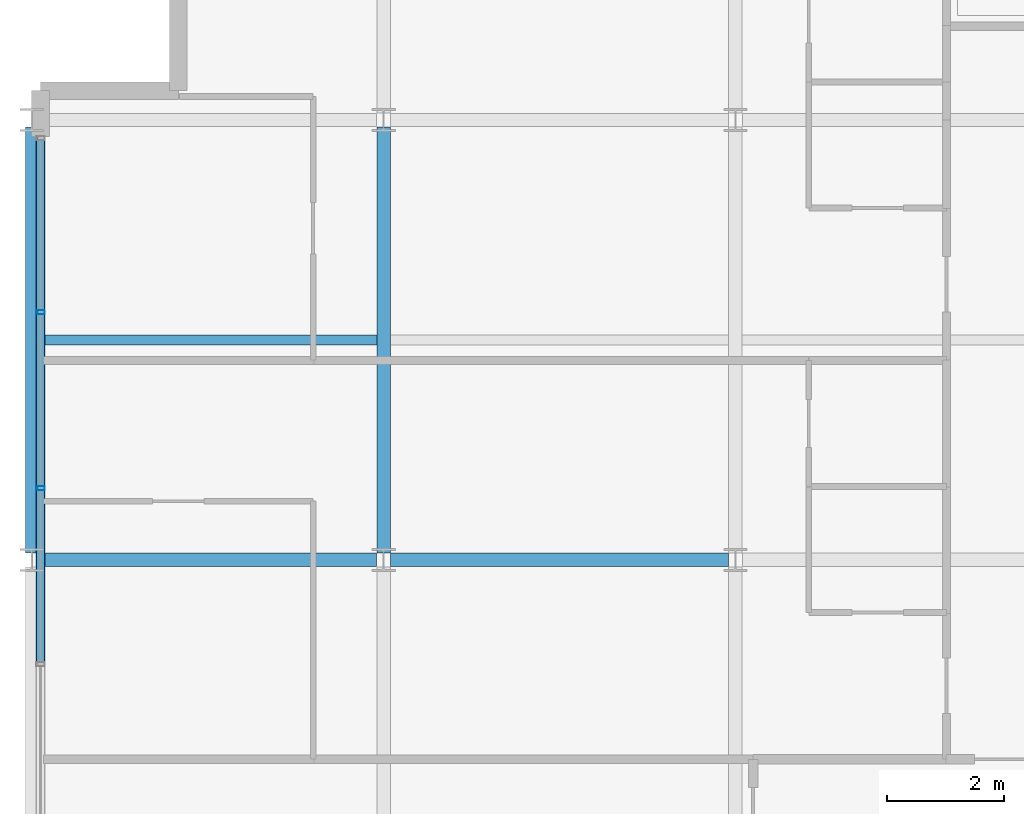
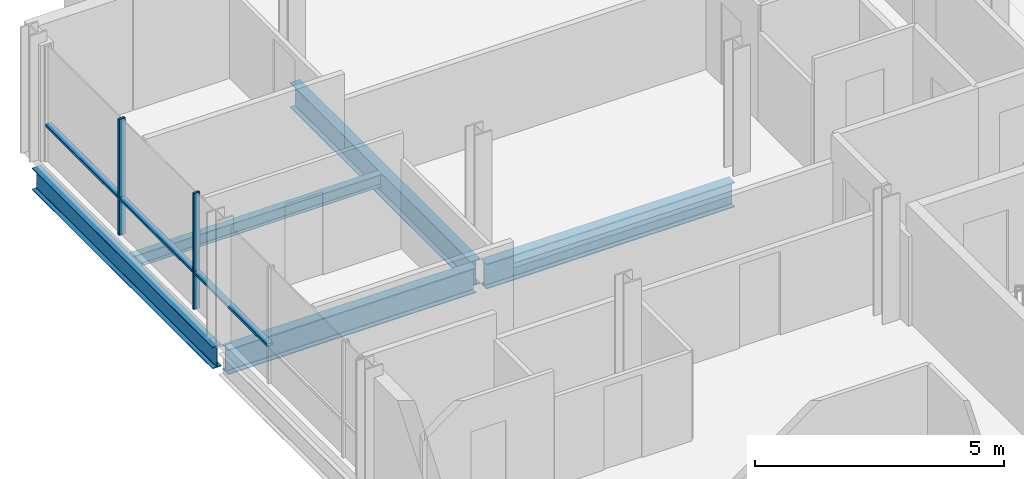
# One storey, part 6 of 36: 5 beams, 5 members, 1 element without a shape of its own.
"""IFC4 building model written with IfcOpenShell, lengths in metres."""

import ifcopenshell
import ifcopenshell.guid

model = None  # the IFC model being written
_history = None  # IfcOwnerHistory: only IFC2X3 demands one
_inside = {}  # id of a spatial element -> (the spatial element, [elements in it])
_under = {}  # id of a project, library or spatial element -> (it, [spatial elements below it])
_declared = {}  # id of a project -> (the project, [libraries it declares])
_typed = {}  # id of a type object -> (the type object, [elements of that type])
_made_of = {}  # id of a material, layer set ... -> (it, [elements and type objects made of it])


def new_model(schema):
    """Start an empty IFC model of exactly this schema.

    Asked for "IFC4X3", IfcOpenShell would pick the latest addendum, in which some entities
    have other attributes; the version numbers below select the first issue.
    IFC2X3 requires an IfcOwnerHistory on every rooted entity: one is made here for all.
    """
    global model, _history
    if schema == "IFC4X3":
        model = ifcopenshell.file(schema_version=(4, 3, 0, 0))
    else:
        model = ifcopenshell.file(schema=schema)
    _inside.clear()
    _under.clear()
    _declared.clear()
    _typed.clear()
    _made_of.clear()
    _history = None
    if model.schema == "IFC2X3":
        org = make("IfcOrganization", Name="unknown")
        user = make(
            "IfcPersonAndOrganization",
            ThePerson=make("IfcPerson", FamilyName="unknown"),
            TheOrganization=org,
        )
        app = make(
            "IfcApplication",
            ApplicationDeveloper=org,
            Version="unknown",
            ApplicationFullName="unknown",
            ApplicationIdentifier="unknown",
        )
        _history = make(
            "IfcOwnerHistory",
            OwningUser=user,
            OwningApplication=app,
            ChangeAction="ADDED",
            CreationDate=0,
        )
    return model


def make(cls, **values):
    """One entity of the class cls with the attributes given. An attribute that is None is left unset."""
    return model.create_entity(
        cls, **{name: value for name, value in values.items() if value is not None}
    )


def rooted(cls, **values):
    """An entity with a GlobalId (a new one), such as an element, a storey or a relation."""
    return make(cls, GlobalId=ifcopenshell.guid.new(), OwnerHistory=_history, **values)


def si_unit(unit_type, name, prefix=None):
    """IfcSIUnit, for example si_unit("LENGTHUNIT", "METRE", prefix="MILLI")."""
    return make("IfcSIUnit", UnitType=unit_type, Prefix=prefix, Name=name)


def assignment(units):
    """IfcUnitAssignment: the units of a project."""
    return None if units is None else make("IfcUnitAssignment", Units=units)


def point(xyz):
    """IfcCartesianPoint."""
    return None if xyz is None else make("IfcCartesianPoint", Coordinates=xyz)


def direction(xyz):
    """IfcDirection."""
    return None if xyz is None else make("IfcDirection", DirectionRatios=xyz)


def frame(location, z_axis=None, x_axis=None):
    """IfcAxis2Placement3D, a coordinate frame: its origin and axes. An axis left out is left unset."""
    return make(
        "IfcAxis2Placement3D",
        Location=point(location),
        Axis=direction(z_axis),
        RefDirection=direction(x_axis),
    )


def frame_2d(location, x_axis=None):
    """IfcAxis2Placement2D, a coordinate frame in the plane: its origin and x axis."""
    return make(
        "IfcAxis2Placement2D", Location=point(location), RefDirection=direction(x_axis)
    )


def origin():
    """The frame at (0, 0, 0) with its axes left unset."""
    return frame((0.0, 0.0, 0.0))


def origin_2d():
    """The frame at (0, 0) in the plane with its x axis left unset."""
    return frame_2d((0.0, 0.0))


def place(relative_to, where):
    """IfcLocalPlacement: puts the frame where relative to a parent placement (None: the world)."""
    return make(
        "IfcLocalPlacement", PlacementRelTo=relative_to, RelativePlacement=where
    )


def context(
    kind, dimensions, precision=None, world=None, true_north=None, identifier=None
):
    """IfcGeometricRepresentationContext, for example the 3D "Model" context."""
    return make(
        "IfcGeometricRepresentationContext",
        ContextIdentifier=identifier,
        ContextType=kind,
        CoordinateSpaceDimension=dimensions,
        Precision=precision,
        WorldCoordinateSystem=world,
        TrueNorth=true_north,
    )


def subcontext(parent, identifier, kind, view, scale=None):
    """IfcGeometricRepresentationSubContext, for example "Body" below "Model"."""
    return make(
        "IfcGeometricRepresentationSubContext",
        ContextIdentifier=identifier,
        ContextType=kind,
        ParentContext=parent,
        TargetScale=scale,
        TargetView=view,
    )


def project(units=None, contexts=None):
    """IfcProject with its units and contexts."""
    return rooted(
        "IfcProject",
        Name="project",
        RepresentationContexts=contexts,
        UnitsInContext=assignment(units),
    )


def spatial(cls, under=None, at=None, **own):
    """A site, building, storey or space (cls), placed at a placement, below another one or the project."""
    s = rooted(cls, ObjectPlacement=at, **own)
    if under is not None:
        _under.setdefault(under.id(), (under, []))[1].append(s)
    return s


def profile(cls, at=None, kind="AREA", **sizes):
    """A parametric profile (cls). Its sizes go by their IFC names, for example OverallWidth=200.0."""
    return make(cls, ProfileType=kind, Position=at, **sizes)


def hollow_rectangle(**sizes):
    """IfcRectangleHollowProfileDef."""
    return profile("IfcRectangleHollowProfileDef", **sizes)


def i_section(**sizes):
    """IfcIShapeProfileDef."""
    return profile("IfcIShapeProfileDef", **sizes)


def extrude(swept, where, along, depth):
    """IfcExtrudedAreaSolid: the profile swept, set in the frame where, extruded along a direction by depth."""
    return make(
        "IfcExtrudedAreaSolid",
        SweptArea=swept,
        Position=where,
        ExtrudedDirection=direction(along),
        Depth=depth,
    )


def shape(context_of_items, identifier, shape_type, items):
    """IfcShapeRepresentation: the items that make up one representation, for example the "Body"."""
    return make(
        "IfcShapeRepresentation",
        ContextOfItems=context_of_items,
        RepresentationIdentifier=identifier,
        RepresentationType=shape_type,
        Items=items,
    )


def material(Name=None, Category=None):
    """IfcMaterial."""
    return make("IfcMaterial", Name=Name, Category=Category)


def layer(
    of_material, thickness, ventilated=None, Name=None, Category=None, Priority=None
):
    """IfcMaterialLayer: one layer of a wall or slab, of a material (None: an air gap)."""
    return make(
        "IfcMaterialLayer",
        Material=of_material,
        LayerThickness=thickness,
        IsVentilated=ventilated,
        Name=Name,
        Category=Category,
        Priority=Priority,
    )


def layer_set(layers, Name=None):
    """IfcMaterialLayerSet."""
    return make("IfcMaterialLayerSet", MaterialLayers=layers, LayerSetName=Name)


def material_profile(
    of_material, cross_section, Name=None, Category=None, Priority=None
):
    """IfcMaterialProfile: a cross section and its material."""
    return make(
        "IfcMaterialProfile",
        Name=Name,
        Material=of_material,
        Profile=cross_section,
        Priority=Priority,
        Category=Category,
    )


def profile_set(profiles, Name=None, composite=None):
    """IfcMaterialProfileSet."""
    return make(
        "IfcMaterialProfileSet",
        Name=Name,
        MaterialProfiles=profiles,
        CompositeProfile=composite,
    )


def made_of(thing, what):
    """Note that an element or type object is made of a material, layer set ...; save() writes the relation."""
    if what is not None:
        _made_of.setdefault(what.id(), (what, []))[1].append(thing)
    return thing


def type_object(cls, material=None, **own):
    """A type object (cls), such as IfcWallType, which elements share."""
    return made_of(rooted(cls, **own), material)


def element(
    cls,
    number,
    at=None,
    inside=None,
    cuts=None,
    type_object=None,
    material=None,
    context=None,
    identifier="Body",
    shape_type=None,
    held_by="IfcProductDefinitionShape",
    body=None,
    shapes=None,
    **own,
):
    """One element of the class cls, such as IfcWall. Its Tag is "e" and its number.

    at: its placement. inside: the storey or other place that contains it. cuts: it is an
    opening in that element (IfcRelVoidsElement). A single representation is given by context,
    identifier, shape_type and body (its items); several are given by shapes. held_by: the class
    of the entity that holds the representations. save() writes the other relations.
    """
    e = rooted(cls, Tag="e%d" % number, ObjectPlacement=at, **own)
    if body is not None:
        shapes = [shape(context, identifier, shape_type, body)]
    if shapes is not None:
        e.Representation = make(held_by, Representations=shapes)
    if inside is not None:
        _inside.setdefault(inside.id(), (inside, []))[1].append(e)
    if cuts is not None:
        rooted(
            "IfcRelVoidsElement", RelatingBuildingElement=cuts, RelatedOpeningElement=e
        )
    if type_object is not None:
        _typed.setdefault(type_object.id(), (type_object, []))[1].append(e)
    return made_of(e, material)


def aggregate(whole, parts):
    """IfcRelAggregates: a whole, such as a stair, and the parts it consists of."""
    return rooted("IfcRelAggregates", RelatingObject=whole, RelatedObjects=parts)


def save(model, path):
    """Write the relations noted so far, then the file.

    IfcRelAggregates (storeys below a building ...), IfcRelContainedInSpatialStructure (elements
    in a storey), IfcRelDefinesByType, IfcRelAssociatesMaterial and IfcRelDeclares: one each for
    every whole, place, type object, material and project.
    """
    for whole, parts in _under.values():
        aggregate(whole, parts)
    for where, things in _inside.values():
        rooted(
            "IfcRelContainedInSpatialStructure",
            RelatedElements=things,
            RelatingStructure=where,
        )
    for kind, things in _typed.values():
        rooted("IfcRelDefinesByType", RelatedObjects=things, RelatingType=kind)
    for what, things in _made_of.values():
        rooted("IfcRelAssociatesMaterial", RelatedObjects=things, RelatingMaterial=what)
    for by, libraries in _declared.values():
        rooted("IfcRelDeclares", RelatingContext=by, RelatedDefinitions=libraries)
    model.write(path)


model = new_model("IFC4")

# Units and contexts
model_context = context("Model", 3, precision=1e-05, world=origin(), true_north=direction((0.0, 1.0)))
body_context = subcontext(model_context, "Body", "Model", "MODEL_VIEW")
ifc_project = project(units=[si_unit("LENGTHUNIT", "METRE"), si_unit("AREAUNIT", "SQUARE_METRE"), si_unit("VOLUMEUNIT", "CUBIC_METRE"), si_unit("PLANEANGLEUNIT", "RADIAN"), si_unit("MASSUNIT", "GRAM", prefix="KILO")], contexts=[model_context])

# Site, building, storey
site_placement = place(None, origin())
site = spatial("IfcSite", under=ifc_project, at=site_placement, CompositionType="ELEMENT")
building_placement = place(site_placement, origin())
building = spatial("IfcBuilding", under=site, at=building_placement, Name="Brevholm Reach", CompositionType="ELEMENT")
storey_placement = place(building_placement, frame((0.0, 0.0, 175.89990234375)))
storey = spatial("IfcBuildingStorey", under=building, at=storey_placement, Name="L53", CompositionType="ELEMENT", Elevation=175.89990234375)

# Beams
ifc_material_1 = material(Name="Structural Steel S355J2", Category="steel")
ifc_material_profile_1 = material_profile(ifc_material_1, i_section(OverallWidth=0.1650390625, OverallDepth=0.303466796875, WebThickness=0.006103515625, FlangeThickness=0.01025390625, FilletRadius=0.0087890625, at=origin_2d()), Name="UKB 305x165x40")
ifc_profile_set_1 = profile_set([ifc_material_profile_1], Name="Structural Steel S355J2")
beam_type_1 = type_object("IfcBeamType", Name="BM-B305", PredefinedType="BEAM", material=ifc_profile_set_1)
beam_1_placement = place(storey_placement, frame((0.104736328125, 19.75, -0.361572265625), z_axis=(1.0, 0.0, 0.0), x_axis=(0.0, 1.0, 0.0)))
element("IfcBeam", 1, at=beam_1_placement, inside=storey, type_object=beam_type_1, Name="L53 Composite Secondary Floor Beam", PredefinedType="BEAM", context=body_context, shape_type="SweptSolid", body=[
    extrude(i_section(OverallWidth=0.1650390625, OverallDepth=0.303466796875, WebThickness=0.006103515625, FlangeThickness=0.01025390625, FilletRadius=0.0087890625, at=origin_2d()), origin(), (0.0, 0.0, 1.0), 5.78076171875),
])
ifc_material_2 = material(Name="Structural Steel S355J2", Category="steel")
ifc_material_profile_2 = material_profile(ifc_material_2, i_section(OverallWidth=0.209228515625, OverallDepth=0.533203125, WebThickness=0.010009765625, FlangeThickness=0.015625, FilletRadius=0.0126953125, at=origin_2d()), Name="UKB 533x210x92")
ifc_profile_set_2 = profile_set([ifc_material_profile_2], Name="Structural Steel S355J2")
beam_type_2 = type_object("IfcBeamType", Name="BM-SP533", PredefinedType="SPANDREL", material=ifc_profile_set_2)
beam_2_placement = place(storey_placement, frame((0.0, 16.1201171875, -0.4765625), z_axis=(0.0, 1.0, 0.0), x_axis=(-1.0, 0.0, 0.0)))
element("IfcBeam", 2, at=beam_2_placement, inside=storey, type_object=beam_type_2, Name="L53 SP-02 Framing Beam", PredefinedType="SPANDREL", context=body_context, shape_type="SweptSolid", body=[
    extrude(i_section(OverallWidth=0.209228515625, OverallDepth=0.533203125, WebThickness=0.010009765625, FlangeThickness=0.015625, FilletRadius=0.0126953125, at=origin_2d()), origin(), (0.0, 0.0, 1.0), 7.259765625),
])
ifc_material_3 = material(Name="Structural Steel S355J2", Category="steel")
ifc_material_profile_3 = material_profile(ifc_material_3, i_section(OverallWidth=0.22900390625, OverallDepth=0.6123046875, WebThickness=0.011962890625, FlangeThickness=0.01953125, FilletRadius=0.0126953125, at=origin_2d()), Name="UKB 610x229x125")
ifc_profile_set_3 = profile_set([ifc_material_profile_3], Name="Structural Steel S355J2")
beam_type_3 = type_object("IfcBeamType", Name="BM-SP610", PredefinedType="SPANDREL", material=ifc_profile_set_3)
for number, where, z_axis, x_axis, name in (
    (3, (0.1201171875, 16.0, -0.51611328125), (1.0, 0.0, 0.0), (0.0, 1.0, 0.0), "L53 SP-01 Framing Beam"),
    (4, (6.1201171875, 16.0, -0.51611328125), (1.0, 0.0, 0.0), (0.0, 1.0, 0.0), "L53 SP-01 Framing Beam"),
):
    element("IfcBeam", number, at=place(storey_placement, frame(where, z_axis=z_axis, x_axis=x_axis)), inside=storey, type_object=beam_type_3, Name=name, PredefinedType="SPANDREL", context=body_context, shape_type="SweptSolid", body=[
        extrude(i_section(OverallWidth=0.22900390625, OverallDepth=0.6123046875, WebThickness=0.011962890625, FlangeThickness=0.01953125, FilletRadius=0.0126953125, at=origin_2d()), origin(), (0.0, 0.0, 1.0), 5.759765625),
    ])
beam_3_placement = place(storey_placement, frame((6.0, 16.1201171875, -0.51611328125), z_axis=(0.0, 1.0, 0.0), x_axis=(-1.0, 0.0, 0.0)))
element("IfcBeam", 5, at=beam_3_placement, inside=storey, type_object=beam_type_3, Name="L53 SP-01 Framing Beam", PredefinedType="SPANDREL", context=body_context, shape_type="SweptSolid", body=[
    extrude(i_section(OverallWidth=0.22900390625, OverallDepth=0.6123046875, WebThickness=0.011962890625, FlangeThickness=0.01953125, FilletRadius=0.0126953125, at=origin_2d()), origin(), (0.0, 0.0, 1.0), 7.259765625),
])

# Curtain wall, members
ifc_material_4 = material(Name="Dark Anodised Aluminium 6063-T6 and Solar-Control Glass", Category="aluminium")
ifc_layer = layer(ifc_material_4, 0.14990234375)
ifc_layer_set = layer_set([ifc_layer], Name="Dark Anodised Aluminium 6063-T6 and Solar-Control Glass")
curtain_wall_type = type_object("IfcCurtainWallType", Name="CW-01", PredefinedType="NOTDEFINED", material=ifc_layer_set)
curtain_wall_placement = place(storey_placement, origin())
curtain_wall = element("IfcCurtainWall", 6, at=curtain_wall_placement, inside=storey, type_object=curtain_wall_type, Name="L53 Curtain Wall CW-01", PredefinedType="NOTDEFINED")
ifc_material_5 = material(Name="Dark Anodised Aluminium 6063-T6", Category="aluminium")
ifc_material_profile_4 = material_profile(ifc_material_5, hollow_rectangle(XDim=0.06494140625, YDim=0.14990234375, WallThickness=0.0048828125, InnerFilletRadius=0.0048828125, OuterFilletRadius=0.010009765625, at=origin_2d()), Name="RHS 150x65x5")
ifc_profile_set_4 = profile_set([ifc_material_profile_4], Name="Dark Anodised Aluminium 6063-T6")
member_type_1 = type_object("IfcMemberType", Name="CWM-150", PredefinedType="MULLION", material=ifc_profile_set_4)
member_1_placement = place(storey_placement, frame((0.14990234375, 20.219970703125, 0.0), z_axis=(0.0, 0.0, 1.0), x_axis=(0.0, -1.0, 0.0)))
member_1 = element("IfcMember", 7, at=member_1_placement, type_object=member_type_1, Name="CM-150 Mullion 2", PredefinedType="MULLION", context=body_context, shape_type="SweptSolid", body=[
    extrude(hollow_rectangle(XDim=0.06494140625, YDim=0.14990234375, WallThickness=0.0048828125, InnerFilletRadius=0.0048828125, OuterFilletRadius=0.010009765625, at=origin_2d()), origin(), (0.0, 0.0, 1.0), 2.840087890625),
])
member_2_placement = place(storey_placement, frame((0.14990234375, 17.219970703125, 0.0), z_axis=(0.0, 0.0, 1.0), x_axis=(0.0, -1.0, 0.0)))
member_2 = element("IfcMember", 8, at=member_2_placement, type_object=member_type_1, Name="CM-150 Mullion 3", PredefinedType="MULLION", context=body_context, shape_type="SweptSolid", body=[
    extrude(hollow_rectangle(XDim=0.06494140625, YDim=0.14990234375, WallThickness=0.0048828125, InnerFilletRadius=0.0048828125, OuterFilletRadius=0.010009765625, at=origin_2d()), origin(), (0.0, 0.0, 1.0), 2.840087890625),
])
ifc_material_6 = material(Name="Dark Anodised Aluminium 6063-T6", Category="aluminium")
ifc_material_profile_5 = material_profile(ifc_material_6, hollow_rectangle(XDim=0.06494140625, YDim=0.14990234375, WallThickness=0.0048828125, InnerFilletRadius=0.0048828125, OuterFilletRadius=0.010009765625, at=origin_2d()), Name="RHS 150x65x5")
ifc_profile_set_5 = profile_set([ifc_material_profile_5], Name="Dark Anodised Aluminium 6063-T6")
member_type_2 = type_object("IfcMemberType", Name="CWT-150", PredefinedType="NOTDEFINED", material=ifc_profile_set_5)
member_3_placement = place(storey_placement, frame((0.14990234375, 23.155029296875, 0.900146484375), z_axis=(0.0, -1.0, 0.0), x_axis=(0.0, 0.0, 1.0)))
member_3 = element("IfcMember", 9, at=member_3_placement, type_object=member_type_2, Name="CT-150 Transom 1.1", ObjectType="TRANSOM", PredefinedType="USERDEFINED", context=body_context, shape_type="SweptSolid", body=[
    extrude(hollow_rectangle(XDim=0.06494140625, YDim=0.14990234375, WallThickness=0.0048828125, InnerFilletRadius=0.0048828125, OuterFilletRadius=0.010009765625, at=origin_2d()), origin(), (0.0, 0.0, 1.0), 2.902587890625),
])
member_4_placement = place(storey_placement, frame((0.14990234375, 20.1875, 0.900146484375), z_axis=(0.0, -1.0, 0.0), x_axis=(0.0, 0.0, 1.0)))
member_4 = element("IfcMember", 10, at=member_4_placement, type_object=member_type_2, Name="CT-150 Transom 2.1", ObjectType="TRANSOM", PredefinedType="USERDEFINED", context=body_context, shape_type="SweptSolid", body=[
    extrude(hollow_rectangle(XDim=0.06494140625, YDim=0.14990234375, WallThickness=0.0048828125, InnerFilletRadius=0.0048828125, OuterFilletRadius=0.010009765625, at=origin_2d()), origin(), (0.0, 0.0, 1.0), 2.93505859375),
])
member_5_placement = place(storey_placement, frame((0.14990234375, 17.1875, 0.900146484375), z_axis=(0.0, -1.0, 0.0), x_axis=(0.0, 0.0, 1.0)))
member_5 = element("IfcMember", 11, at=member_5_placement, type_object=member_type_2, Name="CT-150 Transom 3.1", ObjectType="TRANSOM", PredefinedType="USERDEFINED", context=body_context, shape_type="SweptSolid", body=[
    extrude(hollow_rectangle(XDim=0.06494140625, YDim=0.14990234375, WallThickness=0.0048828125, InnerFilletRadius=0.0048828125, OuterFilletRadius=0.010009765625, at=origin_2d()), origin(), (0.0, 0.0, 1.0), 2.93505859375),
])
aggregate(curtain_wall, [member_1, member_2, member_3, member_4, member_5])

save(model, "model.ifc")
